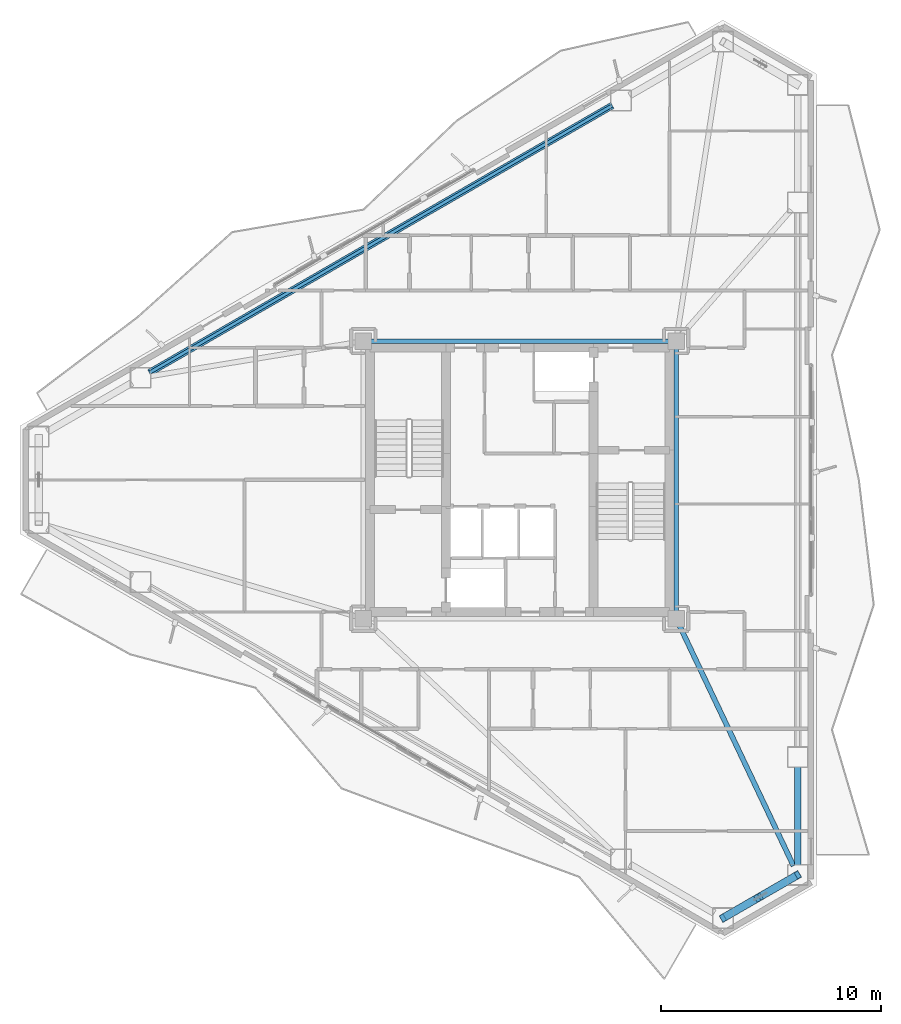
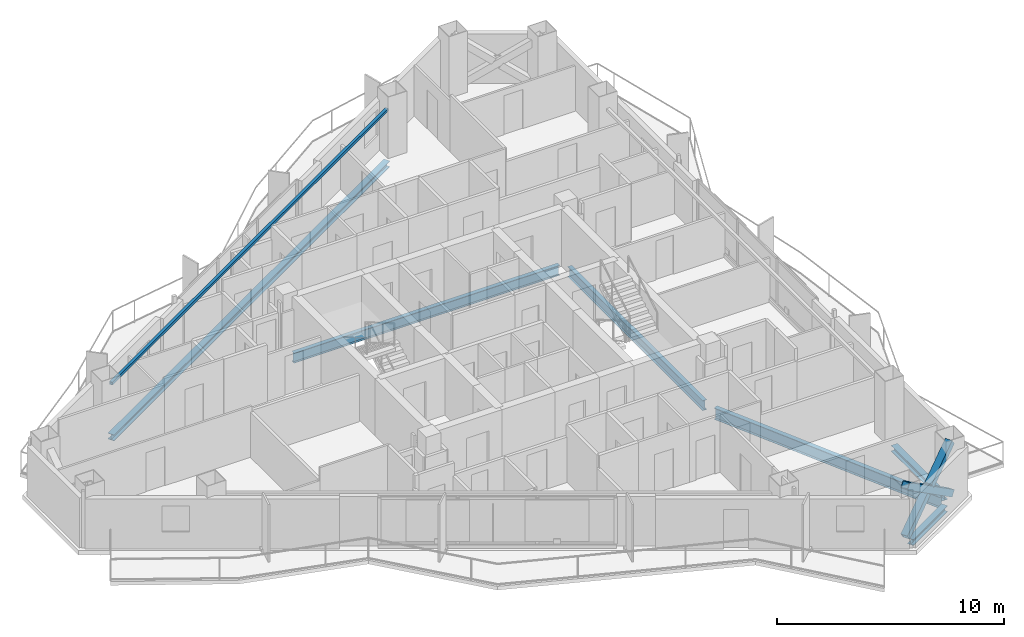
# One storey, part 6 of 18: 7 beams, 3 members.
"""IFC4 building model written with IfcOpenShell, lengths in metres."""

from ifc_helpers import new_model, si_unit, direction, frame, origin, origin_2d, place, context, subcontext, project, spatial, hollow_rectangle, i_section, extrude, material, material_profile, profile_set, type_object, element, save


model = new_model("IFC4")

# Units and contexts
model_context = context("Model", 3, precision=1e-05, world=origin(), true_north=direction((0.0, 1.0)))
body_context = subcontext(model_context, "Body", "Model", "MODEL_VIEW")
ifc_project = project(units=[si_unit("LENGTHUNIT", "METRE"), si_unit("AREAUNIT", "SQUARE_METRE"), si_unit("VOLUMEUNIT", "CUBIC_METRE"), si_unit("PLANEANGLEUNIT", "RADIAN"), si_unit("MASSUNIT", "GRAM", prefix="KILO")], contexts=[model_context])

# Site, building, storey
site_placement = place(None, origin())
site = spatial("IfcSite", under=ifc_project, at=site_placement, CompositionType="ELEMENT")
building_placement = place(site_placement, origin())
building = spatial("IfcBuilding", under=site, at=building_placement, Name="Mersakhor Tower and Convention Hall", CompositionType="ELEMENT")
storey_placement = place(building_placement, frame((0.0, 0.0, 134.39990234375)))
storey = spatial("IfcBuildingStorey", under=building, at=storey_placement, Name="L37", CompositionType="ELEMENT", Elevation=134.39990234375)

# Beams
ifc_material_1 = material(Name="Steel S355", Category="steel")
ifc_material_profile_1 = material_profile(ifc_material_1, i_section(OverallWidth=0.2099609375, OverallDepth=0.53662109375, WebThickness=0.0107421875, FlangeThickness=0.017333984375, at=origin_2d()), Name="UB 533x210x101")
ifc_profile_set_1 = profile_set([ifc_material_profile_1], Name="Steel S355")
beam_type_1 = type_object("IfcBeamType", Name="BM-FB-533", PredefinedType="BEAM", material=ifc_profile_set_1)
beam_1_placement = place(storey_placement, frame((22.2548828125, 33.050048828125, -0.50830078125), z_axis=(1.0, 0.0, 0.0), x_axis=(0.0, 1.0, 0.0)))
element("IfcBeam", 1, at=beam_1_placement, inside=storey, type_object=beam_type_1, Name="L37 Core Ring Tie Beam CRB-2", PredefinedType="BEAM", context=body_context, shape_type="SweptSolid", body=[
    extrude(i_section(OverallWidth=0.2099609375, OverallDepth=0.53662109375, WebThickness=0.0107421875, FlangeThickness=0.017333984375, at=origin_2d()), origin(), (0.0, 0.0, 1.0), 13.490234375),
])
beam_2_placement = place(storey_placement, frame((36.10009765625, 32.695068359375, -0.50830078125), z_axis=(0.0, -1.0, 0.0), x_axis=(1.0, 0.0, 0.0)))
element("IfcBeam", 2, at=beam_2_placement, inside=storey, type_object=beam_type_1, Name="L37 Core Ring Tie Beam CRB-3", PredefinedType="BEAM", context=body_context, shape_type="SweptSolid", body=[
    extrude(i_section(OverallWidth=0.2099609375, OverallDepth=0.53662109375, WebThickness=0.0107421875, FlangeThickness=0.017333984375, at=origin_2d()), origin(), (0.0, 0.0, 1.0), 11.89013671875),
])
ifc_material_2 = material(Name="Steel S355", Category="steel")
ifc_material_profile_2 = material_profile(ifc_material_2, hollow_rectangle(XDim=0.14990234375, YDim=0.14990234375, WallThickness=0.010009765625, at=origin_2d()), Name="SHS 150x150x10")
ifc_profile_set_2 = profile_set([ifc_material_profile_2], Name="Steel S355")
beam_type_2 = type_object("IfcBeamType", Name="BM-GRT-SHS150", PredefinedType="USERDEFINED", material=ifc_profile_set_2)
beam_3_placement = place(storey_placement, frame((12.182373046875, 31.61181640625, 2.47998046875), z_axis=(0.866027433267, 0.499996484816, 0.0), x_axis=(-0.499996484816, 0.866027433267, 0.0)))
element("IfcBeam", 3, at=beam_3_placement, inside=storey, type_object=beam_type_2, Name="L37 Facade Support Girt GRT-F1", ObjectType="GIRT", PredefinedType="USERDEFINED", context=body_context, shape_type="SweptSolid", body=[
    extrude(hollow_rectangle(XDim=0.14990234375, YDim=0.14990234375, WallThickness=0.010009765625, at=origin_2d()), origin(), (0.0, 0.0, 1.0), 24.267333984375),
])
ifc_material_3 = material(Name="Steel S355", Category="steel")
ifc_material_profile_3 = material_profile(ifc_material_3, i_section(OverallWidth=0.22900390625, OverallDepth=0.6123046875, WebThickness=0.011962890625, FlangeThickness=0.01953125, at=origin_2d()), Name="UB 610x229x125")
ifc_profile_set_3 = profile_set([ifc_material_profile_3], Name="Steel S355")
beam_type_3 = type_object("IfcBeamType", Name="BM-PR-610", PredefinedType="BEAM", material=ifc_profile_set_3)
beam_4_placement = place(storey_placement, frame((36.252197265625, 20.12939453125, -0.5458984375), z_axis=(0.428664675599, -0.903463666061, 0.0), x_axis=(0.903463666061, 0.428664675599, 0.0)))
element("IfcBeam", 4, at=beam_4_placement, inside=storey, type_object=beam_type_3, Name="L37 Primary Floor Girder FG-4", PredefinedType="BEAM", context=body_context, shape_type="SweptSolid", body=[
    extrude(i_section(OverallWidth=0.22900390625, OverallDepth=0.6123046875, WebThickness=0.011962890625, FlangeThickness=0.01953125, at=origin_2d()), origin(), (0.0, 0.0, 1.0), 12.065673828125),
])
ifc_material_4 = material(Name="Steel S355", Category="steel")
ifc_material_profile_4 = material_profile(ifc_material_4, i_section(OverallWidth=0.30908203125, OverallDepth=0.320556640625, WebThickness=0.013916015625, FlangeThickness=0.021728515625, at=origin_2d()), Name="UC 305x305x137")
ifc_profile_set_4 = profile_set([ifc_material_profile_4], Name="Steel S355")
beam_type_4 = type_object("IfcBeamType", Name="BM-SPD-UC305", PredefinedType="SPANDREL", material=ifc_profile_set_4)
beam_5_placement = place(storey_placement, frame((12.182373046875, 31.61181640625, -0.400146484375), z_axis=(0.866027433267, 0.499996484816, 0.0), x_axis=(-0.499996484816, 0.866027433267, 0.0)))
element("IfcBeam", 5, at=beam_5_placement, inside=storey, type_object=beam_type_4, Name="L37 Perimeter Spandrel Beam SPB-02", PredefinedType="SPANDREL", context=body_context, shape_type="SweptSolid", body=[
    extrude(i_section(OverallWidth=0.30908203125, OverallDepth=0.320556640625, WebThickness=0.013916015625, FlangeThickness=0.021728515625, at=origin_2d()), origin(), (0.0, 0.0, 1.0), 24.267333984375),
])
beam_6_placement = place(storey_placement, frame((41.619140625, 13.706298828125, -0.400146484375), z_axis=(0.0, -1.0, 0.0), x_axis=(1.0, 0.0, 0.0)))
element("IfcBeam", 6, at=beam_6_placement, inside=storey, type_object=beam_type_4, Name="L37 Perimeter Spandrel Beam SPB-07", PredefinedType="SPANDREL", context=body_context, shape_type="SweptSolid", body=[
    extrude(i_section(OverallWidth=0.30908203125, OverallDepth=0.320556640625, WebThickness=0.013916015625, FlangeThickness=0.021728515625, at=origin_2d()), origin(), (0.0, 0.0, 1.0), 4.433837890625),
])
beam_7_placement = place(storey_placement, frame((41.22509765625, 8.58984375, -0.400146484375), z_axis=(-0.86604667077, -0.499963162692, 0.0), x_axis=(0.499963162692, -0.86604667077, 0.0)))
element("IfcBeam", 7, at=beam_7_placement, inside=storey, type_object=beam_type_4, Name="L37 Perimeter Spandrel Beam SPB-08", PredefinedType="SPANDREL", context=body_context, shape_type="SweptSolid", body=[
    extrude(i_section(OverallWidth=0.30908203125, OverallDepth=0.320556640625, WebThickness=0.013916015625, FlangeThickness=0.021728515625, at=origin_2d()), origin(), (0.0, 0.0, 1.0), 3.014404296875),
])

# Members
ifc_material_5 = material(Name="Steel S460", Category="steel")
ifc_material_profile_5 = material_profile(ifc_material_5, hollow_rectangle(XDim=0.35009765625, YDim=0.35009765625, WallThickness=0.02001953125, at=origin_2d()), Name="SHS 350x350x20")
ifc_profile_set_5 = profile_set([ifc_material_profile_5], Name="Steel S460")
member_type = type_object("IfcMemberType", Name="MB-BRC-SHS350", PredefinedType="BRACE", material=ifc_profile_set_5)
member_placement = place(storey_placement, frame((41.619140625, 8.8173828125, 0.150146484375), z_axis=(-0.70838533923, -0.408971551713, 0.575267312693), x_axis=(0.499986324622, -0.866033299124, 0.0)))
element("IfcMember", 8, at=member_placement, inside=storey, type_object=member_type, Name="L37 Chamfer Braced Frame Diagonal CB-2A", PredefinedType="BRACE", context=body_context, shape_type="SweptSolid", body=[
    extrude(hollow_rectangle(XDim=0.35009765625, YDim=0.35009765625, WallThickness=0.02001953125, at=origin_2d()), origin(), (0.0, 0.0, 1.0), 4.7978515625),
])
for number, where, z_axis, x_axis, name in (
    (9, (38.220458984375, 6.855224609375, 0.150146484375), (0.708409139881, 0.409012716899, 0.575208734242), (-0.500011469263, 0.866018781901, 0.0), "L37 Chamfer Braced Frame Diagonal CB-2B Lower Half"),
    (10, (40.05712890625, 7.91552734375, 1.6416015625), (0.708364021879, 0.408986667212, 0.575282816143), (-0.500011469263, 0.866018781901, 0.0), "L37 Chamfer Braced Frame Diagonal CB-2B Upper Half"),
):
    element("IfcMember", number, at=place(storey_placement, frame(where, z_axis=z_axis, x_axis=x_axis)), inside=storey, type_object=member_type, Name=name, PredefinedType="BRACE", context=body_context, shape_type="SweptSolid", body=[
        extrude(hollow_rectangle(XDim=0.35009765625, YDim=0.35009765625, WallThickness=0.02001953125, at=origin_2d()), origin(), (0.0, 0.0, 1.0), 2.205078125),
    ])

save(model, "model.ifc")
